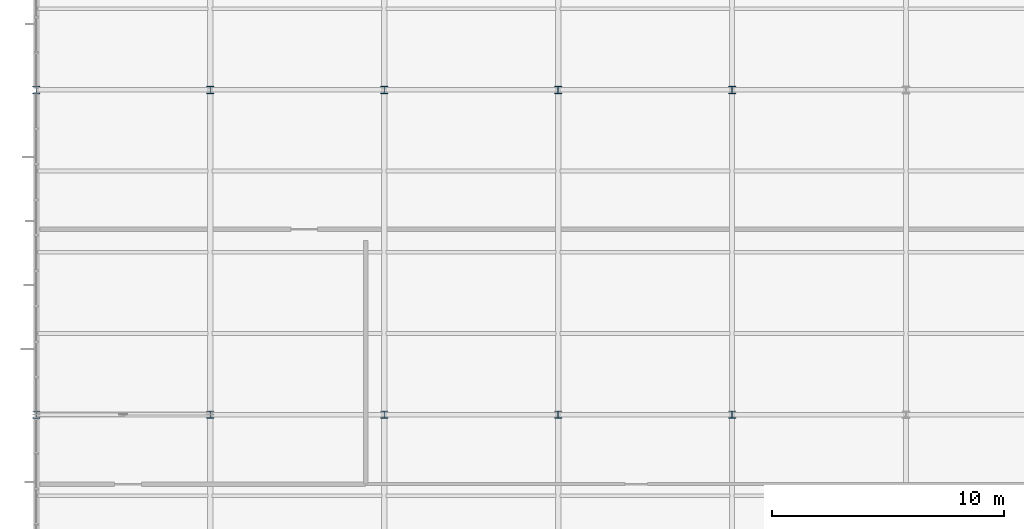
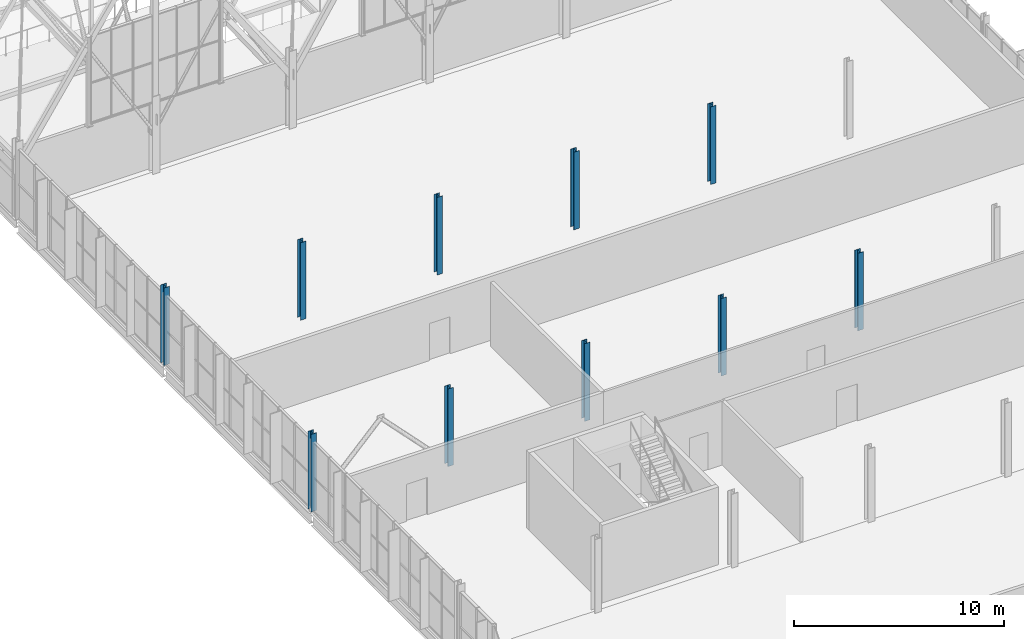
# One storey, part 3 of 324: 10 columns.
"""IFC4 building model written with IfcOpenShell, lengths in metres."""

from ifc_helpers import new_model, si_unit, direction, frame, origin, origin_2d, place, context, subcontext, project, spatial, i_section, extrude, material, material_profile, profile_set, type_object, element, save


model = new_model("IFC4")

# Units and contexts
model_context = context("Model", 3, precision=1e-05, world=origin(), true_north=direction((0.0, 1.0)))
body_context = subcontext(model_context, "Body", "Model", "MODEL_VIEW")
ifc_project = project(units=[si_unit("LENGTHUNIT", "METRE"), si_unit("AREAUNIT", "SQUARE_METRE"), si_unit("VOLUMEUNIT", "CUBIC_METRE"), si_unit("PLANEANGLEUNIT", "RADIAN"), si_unit("MASSUNIT", "GRAM", prefix="KILO")], contexts=[model_context])

# Site, building, storey
site_placement = place(None, origin())
site = spatial("IfcSite", under=ifc_project, at=site_placement, CompositionType="ELEMENT")
building_placement = place(site_placement, origin())
building = spatial("IfcBuilding", under=site, at=building_placement, Name="Solvenia Promenade Tram Depot", CompositionType="ELEMENT")
storey_placement = place(building_placement, frame((0.0, 0.0, 4.5)))
storey = spatial("IfcBuildingStorey", under=building, at=storey_placement, Name="L01", CompositionType="ELEMENT", Elevation=4.5)

# Columns
ifc_material = material(Name="Structural steel ASTM A992 Gr. 50", Category="steel")
ifc_material_profile = material_profile(ifc_material, i_section(OverallWidth=0.304931640625, OverallDepth=0.30810546875, WebThickness=0.010009765625, FlangeThickness=0.015380859375, FilletRadius=0.014892578125, at=origin_2d()), Name="W310x97", Category="steel")
ifc_profile_set = profile_set([ifc_material_profile], Name="Structural steel ASTM A992 Gr. 50")
column_type = type_object("IfcColumnType", Name="Col-W310x97", PredefinedType="COLUMN", material=ifc_profile_set)
for number, where, z_axis, x_axis, name in (
    (1, (0.0, 38.0, 0.0), (0.0, 0.0, 1.0), (1.0, 0.0, 0.0), "Steel Column COL-L01-008"),
    (2, (0.0, 52.0, 0.0), (0.0, 0.0, 1.0), (1.0, 0.0, 0.0), "Steel Column COL-L01-010"),
    (3, (7.5, 38.0, 0.0), (0.0, 0.0, 1.0), (1.0, 0.0, 0.0), "Steel Column COL-L01-026"),
    (4, (7.5, 52.0, 0.0), (0.0, 0.0, 1.0), (1.0, 0.0, 0.0), "Steel Column COL-L01-028"),
    (5, (15.0, 38.0, 0.0), (0.0, 0.0, 1.0), (1.0, 0.0, 0.0), "Steel Column COL-L01-044"),
    (6, (15.0, 52.0, 0.0), (0.0, 0.0, 1.0), (1.0, 0.0, 0.0), "Steel Column COL-L01-046"),
    (7, (22.5, 38.0, 0.0), (0.0, 0.0, 1.0), (1.0, 0.0, 0.0), "Steel Column COL-L01-062"),
    (8, (22.5, 52.0, 0.0), (0.0, 0.0, 1.0), (1.0, 0.0, 0.0), "Steel Column COL-L01-064"),
    (9, (30.0, 38.0, 0.0), (0.0, 0.0, 1.0), (1.0, 0.0, 0.0), "Steel Column COL-L01-080"),
    (10, (30.0, 52.0, 0.0), (0.0, 0.0, 1.0), (1.0, 0.0, 0.0), "Steel Column COL-L01-082"),
):
    element("IfcColumn", number, at=place(storey_placement, frame(where, z_axis=z_axis, x_axis=x_axis)), inside=storey, type_object=column_type, Name=name, PredefinedType="COLUMN", context=body_context, shape_type="SweptSolid", body=[
        extrude(i_section(OverallWidth=0.304931640625, OverallDepth=0.30810546875, WebThickness=0.010009765625, FlangeThickness=0.015380859375, FilletRadius=0.014892578125, at=origin_2d()), origin(), (0.0, 0.0, 1.0), 4.5),
    ])

save(model, "model.ifc")
